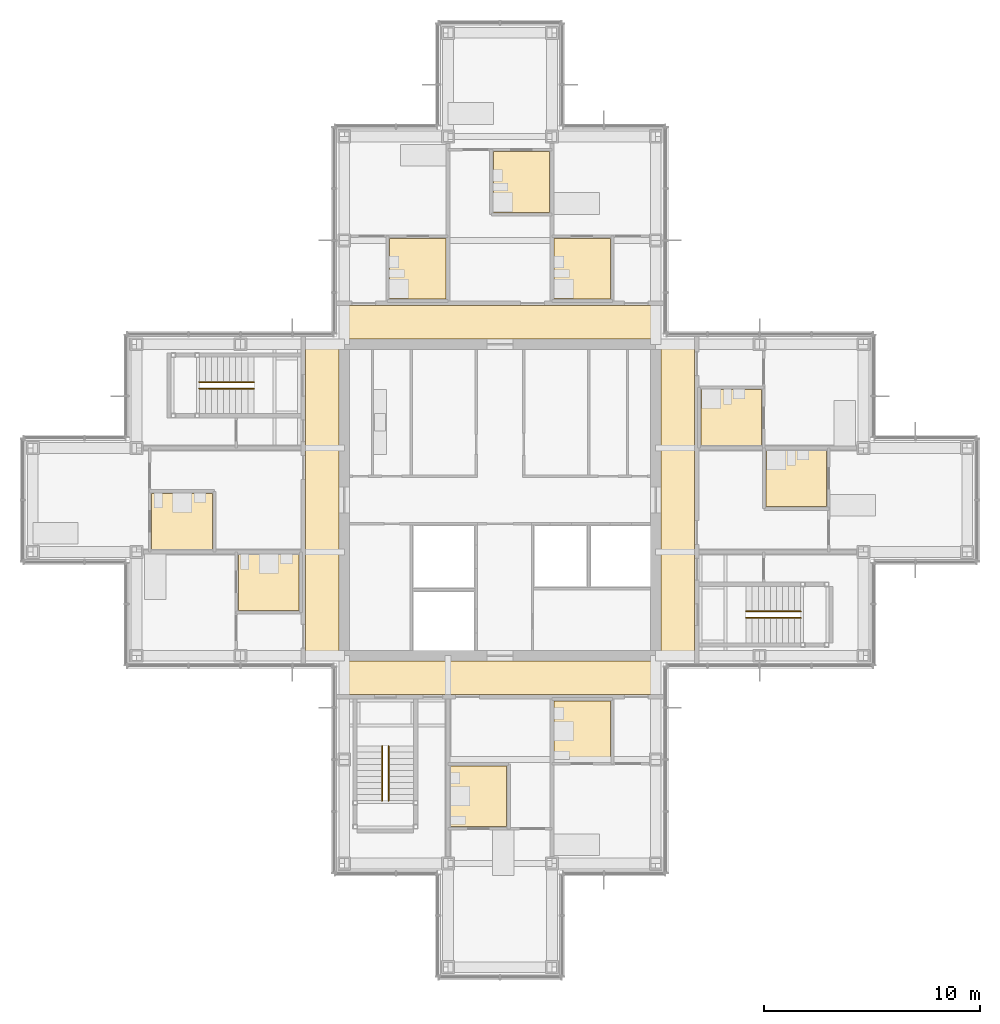
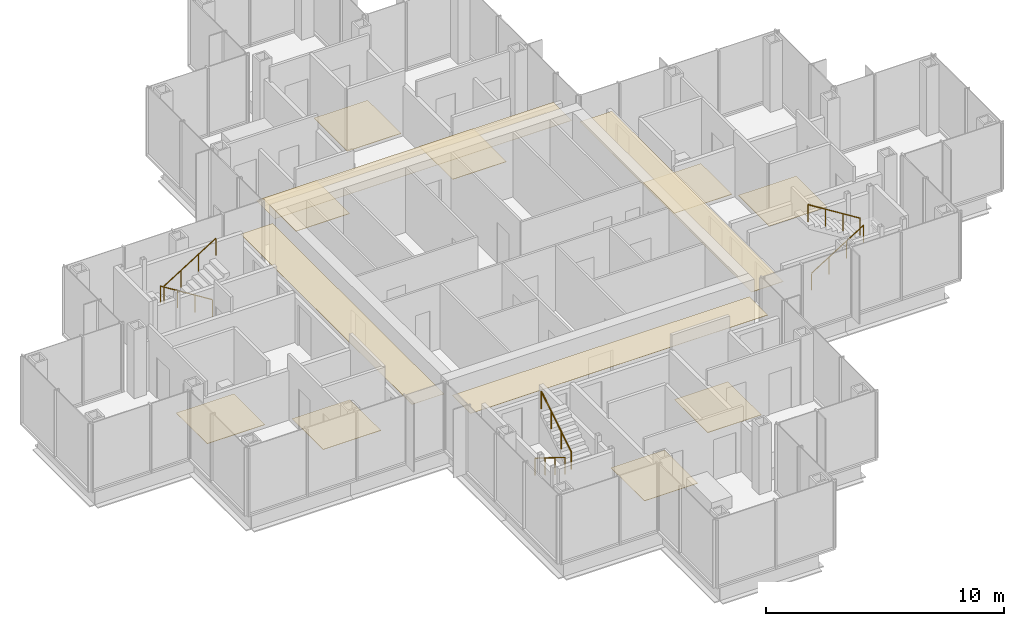
# One storey, part 15 of 17: 13 coverings, 6 railings.
"""IFC4 building model written with IfcOpenShell, lengths in metres."""

import ifcopenshell
import ifcopenshell.guid

model = None  # the IFC model being written
_history = None  # IfcOwnerHistory: only IFC2X3 demands one
_inside = {}  # id of a spatial element -> (the spatial element, [elements in it])
_under = {}  # id of a project, library or spatial element -> (it, [spatial elements below it])
_declared = {}  # id of a project -> (the project, [libraries it declares])
_typed = {}  # id of a type object -> (the type object, [elements of that type])
_made_of = {}  # id of a material, layer set ... -> (it, [elements and type objects made of it])


def new_model(schema):
    """Start an empty IFC model of exactly this schema.

    Asked for "IFC4X3", IfcOpenShell would pick the latest addendum, in which some entities
    have other attributes; the version numbers below select the first issue.
    IFC2X3 requires an IfcOwnerHistory on every rooted entity: one is made here for all.
    """
    global model, _history
    if schema == "IFC4X3":
        model = ifcopenshell.file(schema_version=(4, 3, 0, 0))
    else:
        model = ifcopenshell.file(schema=schema)
    _inside.clear()
    _under.clear()
    _declared.clear()
    _typed.clear()
    _made_of.clear()
    _history = None
    if model.schema == "IFC2X3":
        org = make("IfcOrganization", Name="unknown")
        user = make(
            "IfcPersonAndOrganization",
            ThePerson=make("IfcPerson", FamilyName="unknown"),
            TheOrganization=org,
        )
        app = make(
            "IfcApplication",
            ApplicationDeveloper=org,
            Version="unknown",
            ApplicationFullName="unknown",
            ApplicationIdentifier="unknown",
        )
        _history = make(
            "IfcOwnerHistory",
            OwningUser=user,
            OwningApplication=app,
            ChangeAction="ADDED",
            CreationDate=0,
        )
    return model


def make(cls, **values):
    """One entity of the class cls with the attributes given. An attribute that is None is left unset."""
    return model.create_entity(
        cls, **{name: value for name, value in values.items() if value is not None}
    )


def rooted(cls, **values):
    """An entity with a GlobalId (a new one), such as an element, a storey or a relation."""
    return make(cls, GlobalId=ifcopenshell.guid.new(), OwnerHistory=_history, **values)


def si_unit(unit_type, name, prefix=None):
    """IfcSIUnit, for example si_unit("LENGTHUNIT", "METRE", prefix="MILLI")."""
    return make("IfcSIUnit", UnitType=unit_type, Prefix=prefix, Name=name)


def assignment(units):
    """IfcUnitAssignment: the units of a project."""
    return None if units is None else make("IfcUnitAssignment", Units=units)


def point(xyz):
    """IfcCartesianPoint."""
    return None if xyz is None else make("IfcCartesianPoint", Coordinates=xyz)


def direction(xyz):
    """IfcDirection."""
    return None if xyz is None else make("IfcDirection", DirectionRatios=xyz)


def frame(location, z_axis=None, x_axis=None):
    """IfcAxis2Placement3D, a coordinate frame: its origin and axes. An axis left out is left unset."""
    return make(
        "IfcAxis2Placement3D",
        Location=point(location),
        Axis=direction(z_axis),
        RefDirection=direction(x_axis),
    )


def frame_2d(location, x_axis=None):
    """IfcAxis2Placement2D, a coordinate frame in the plane: its origin and x axis."""
    return make(
        "IfcAxis2Placement2D", Location=point(location), RefDirection=direction(x_axis)
    )


def origin():
    """The frame at (0, 0, 0) with its axes left unset."""
    return frame((0.0, 0.0, 0.0))


def origin_2d():
    """The frame at (0, 0) in the plane with its x axis left unset."""
    return frame_2d((0.0, 0.0))


def place(relative_to, where):
    """IfcLocalPlacement: puts the frame where relative to a parent placement (None: the world)."""
    return make(
        "IfcLocalPlacement", PlacementRelTo=relative_to, RelativePlacement=where
    )


def context(
    kind, dimensions, precision=None, world=None, true_north=None, identifier=None
):
    """IfcGeometricRepresentationContext, for example the 3D "Model" context."""
    return make(
        "IfcGeometricRepresentationContext",
        ContextIdentifier=identifier,
        ContextType=kind,
        CoordinateSpaceDimension=dimensions,
        Precision=precision,
        WorldCoordinateSystem=world,
        TrueNorth=true_north,
    )


def subcontext(parent, identifier, kind, view, scale=None):
    """IfcGeometricRepresentationSubContext, for example "Body" below "Model"."""
    return make(
        "IfcGeometricRepresentationSubContext",
        ContextIdentifier=identifier,
        ContextType=kind,
        ParentContext=parent,
        TargetScale=scale,
        TargetView=view,
    )


def project(units=None, contexts=None):
    """IfcProject with its units and contexts."""
    return rooted(
        "IfcProject",
        Name="project",
        RepresentationContexts=contexts,
        UnitsInContext=assignment(units),
    )


def spatial(cls, under=None, at=None, **own):
    """A site, building, storey or space (cls), placed at a placement, below another one or the project."""
    s = rooted(cls, ObjectPlacement=at, **own)
    if under is not None:
        _under.setdefault(under.id(), (under, []))[1].append(s)
    return s


def polyline(points):
    """IfcPolyline through the points."""
    return make("IfcPolyline", Points=[point(p) for p in points])


def profile(cls, at=None, kind="AREA", **sizes):
    """A parametric profile (cls). Its sizes go by their IFC names, for example OverallWidth=200.0."""
    return make(cls, ProfileType=kind, Position=at, **sizes)


def circle(**sizes):
    """IfcCircleProfileDef."""
    return profile("IfcCircleProfileDef", **sizes)


def outline(outer, holes=None, kind="AREA"):
    """IfcArbitraryClosedProfileDef: a profile drawn as a closed curve; with holes, ...WithVoids."""
    if holes is None:
        return make("IfcArbitraryClosedProfileDef", ProfileType=kind, OuterCurve=outer)
    return make(
        "IfcArbitraryProfileDefWithVoids",
        ProfileType=kind,
        OuterCurve=outer,
        InnerCurves=holes,
    )


def extrude(swept, where, along, depth):
    """IfcExtrudedAreaSolid: the profile swept, set in the frame where, extruded along a direction by depth."""
    return make(
        "IfcExtrudedAreaSolid",
        SweptArea=swept,
        Position=where,
        ExtrudedDirection=direction(along),
        Depth=depth,
    )


def shape(context_of_items, identifier, shape_type, items):
    """IfcShapeRepresentation: the items that make up one representation, for example the "Body"."""
    return make(
        "IfcShapeRepresentation",
        ContextOfItems=context_of_items,
        RepresentationIdentifier=identifier,
        RepresentationType=shape_type,
        Items=items,
    )


def material(Name=None, Category=None):
    """IfcMaterial."""
    return make("IfcMaterial", Name=Name, Category=Category)


def layer(
    of_material, thickness, ventilated=None, Name=None, Category=None, Priority=None
):
    """IfcMaterialLayer: one layer of a wall or slab, of a material (None: an air gap)."""
    return make(
        "IfcMaterialLayer",
        Material=of_material,
        LayerThickness=thickness,
        IsVentilated=ventilated,
        Name=Name,
        Category=Category,
        Priority=Priority,
    )


def layer_set(layers, Name=None):
    """IfcMaterialLayerSet."""
    return make("IfcMaterialLayerSet", MaterialLayers=layers, LayerSetName=Name)


def made_of(thing, what):
    """Note that an element or type object is made of a material, layer set ...; save() writes the relation."""
    if what is not None:
        _made_of.setdefault(what.id(), (what, []))[1].append(thing)
    return thing


def type_object(cls, material=None, **own):
    """A type object (cls), such as IfcWallType, which elements share."""
    return made_of(rooted(cls, **own), material)


def element(
    cls,
    number,
    at=None,
    inside=None,
    cuts=None,
    type_object=None,
    material=None,
    context=None,
    identifier="Body",
    shape_type=None,
    held_by="IfcProductDefinitionShape",
    body=None,
    shapes=None,
    **own,
):
    """One element of the class cls, such as IfcWall. Its Tag is "e" and its number.

    at: its placement. inside: the storey or other place that contains it. cuts: it is an
    opening in that element (IfcRelVoidsElement). A single representation is given by context,
    identifier, shape_type and body (its items); several are given by shapes. held_by: the class
    of the entity that holds the representations. save() writes the other relations.
    """
    e = rooted(cls, Tag="e%d" % number, ObjectPlacement=at, **own)
    if body is not None:
        shapes = [shape(context, identifier, shape_type, body)]
    if shapes is not None:
        e.Representation = make(held_by, Representations=shapes)
    if inside is not None:
        _inside.setdefault(inside.id(), (inside, []))[1].append(e)
    if cuts is not None:
        rooted(
            "IfcRelVoidsElement", RelatingBuildingElement=cuts, RelatedOpeningElement=e
        )
    if type_object is not None:
        _typed.setdefault(type_object.id(), (type_object, []))[1].append(e)
    return made_of(e, material)


def aggregate(whole, parts):
    """IfcRelAggregates: a whole, such as a stair, and the parts it consists of."""
    return rooted("IfcRelAggregates", RelatingObject=whole, RelatedObjects=parts)


def save(model, path):
    """Write the relations noted so far, then the file.

    IfcRelAggregates (storeys below a building ...), IfcRelContainedInSpatialStructure (elements
    in a storey), IfcRelDefinesByType, IfcRelAssociatesMaterial and IfcRelDeclares: one each for
    every whole, place, type object, material and project.
    """
    for whole, parts in _under.values():
        aggregate(whole, parts)
    for where, things in _inside.values():
        rooted(
            "IfcRelContainedInSpatialStructure",
            RelatedElements=things,
            RelatingStructure=where,
        )
    for kind, things in _typed.values():
        rooted("IfcRelDefinesByType", RelatedObjects=things, RelatingType=kind)
    for what, things in _made_of.values():
        rooted("IfcRelAssociatesMaterial", RelatedObjects=things, RelatingMaterial=what)
    for by, libraries in _declared.values():
        rooted("IfcRelDeclares", RelatingContext=by, RelatedDefinitions=libraries)
    model.write(path)


model = new_model("IFC4")

# Units and contexts
model_context = context("Model", 3, precision=1e-05, world=origin(), true_north=direction((0.0, 1.0)))
body_context = subcontext(model_context, "Body", "Model", "MODEL_VIEW")
ifc_project = project(units=[si_unit("LENGTHUNIT", "METRE"), si_unit("AREAUNIT", "SQUARE_METRE"), si_unit("VOLUMEUNIT", "CUBIC_METRE"), si_unit("PLANEANGLEUNIT", "RADIAN"), si_unit("MASSUNIT", "GRAM", prefix="KILO")], contexts=[model_context])

# Site, building, storey
site_placement = place(None, origin())
site = spatial("IfcSite", under=ifc_project, at=site_placement, CompositionType="ELEMENT")
building_placement = place(site_placement, origin())
building = spatial("IfcBuilding", under=site, at=building_placement, Name="Kvirike Care Tower", CompositionType="ELEMENT")
storey_placement = place(building_placement, frame((0.0, 0.0, 179.5)))
storey = spatial("IfcBuildingStorey", under=building, at=storey_placement, Name="L49", CompositionType="ELEMENT", Elevation=179.5)

# Coverings
ifc_material_1 = material(Name="Perforated metal ceiling tile", Category="aluminium")
ifc_layer_1 = layer(ifc_material_1, 0.014892578125)
ifc_layer_set_1 = layer_set([ifc_layer_1], Name="CORRIDOR CEILING 15")
covering_type_1 = type_object("IfcCoveringType", Name="CORRIDOR CEILING 15", PredefinedType="CEILING", material=ifc_layer_set_1)
covering_1_placement = place(storey_placement, frame((0.0, 0.0, 2.5)))
element("IfcCovering", 1, at=covering_1_placement, inside=storey, type_object=covering_type_1, Name="Corridor ceiling L49", PredefinedType="CEILING", context=body_context, shape_type="SweptSolid", body=[
    extrude(outline(polyline([(12.60009765625, 43.199951171875), (14.14990234375, 43.199951171875), (14.14990234375, 28.800048828125), (12.60009765625, 28.800048828125), (12.60009765625, 43.199951171875)])), origin(), (0.0, 0.0, 1.0), 0.014892578125),
])
covering_2_placement = place(storey_placement, frame((0.0, 0.0, 2.5)))
element("IfcCovering", 2, at=covering_2_placement, inside=storey, type_object=covering_type_1, Name="Corridor ceiling L49", PredefinedType="CEILING", context=body_context, shape_type="SweptSolid", body=[
    extrude(outline(polyline([(14.39990234375, 27.0), (14.39990234375, 28.550048828125), (28.800048828125, 28.550048828125), (28.800048828125, 27.0), (14.39990234375, 27.0)])), origin(), (0.0, 0.0, 1.0), 0.014892578125),
])
covering_3_placement = place(storey_placement, frame((0.0, 0.0, 2.5)))
element("IfcCovering", 3, at=covering_3_placement, inside=storey, type_object=covering_type_1, Name="Corridor ceiling L49", PredefinedType="CEILING", context=body_context, shape_type="SweptSolid", body=[
    extrude(outline(polyline([(28.800048828125, 45.0), (28.800048828125, 43.449951171875), (14.39990234375, 43.449951171875), (14.39990234375, 45.0), (28.800048828125, 45.0)])), origin(), (0.0, 0.0, 1.0), 0.014892578125),
])
covering_4_placement = place(storey_placement, frame((0.0, 0.0, 2.5)))
element("IfcCovering", 4, at=covering_4_placement, inside=storey, type_object=covering_type_1, Name="Corridor ceiling L49", PredefinedType="CEILING", context=body_context, shape_type="SweptSolid", body=[
    extrude(outline(polyline([(30.60009765625, 28.800048828125), (29.050048828125, 28.800048828125), (29.050048828125, 43.199951171875), (30.60009765625, 43.199951171875), (30.60009765625, 28.800048828125)])), origin(), (0.0, 0.0, 1.0), 0.014892578125),
])

# Railings
ifc_material_2 = material(Name="Stainless steel handrail", Category="steel")
railing_type = type_object("IfcRailingType", Name="STAIR HANDRAIL 900", PredefinedType="HANDRAIL", material=ifc_material_2)
railing_1_placement = place(storey_placement, frame((10.219970703125, 41.449951171875, 0.175048828125)))
element("IfcRailing", 5, at=railing_1_placement, inside=storey, type_object=railing_type, Name="Stair 1 handrail L49 flight 1", PredefinedType="HANDRAIL", context=body_context, shape_type="SweptSolid", body=[
    extrude(circle(Radius=0.02490234375, at=origin_2d()), frame((0.0, 0.0, 0.875), z_axis=(-0.848007534815, 0.0, 0.529984170421), x_axis=(0.0, -1.0, 0.0)), (0.0, 0.0, 1.0), 2.9716796875),
    extrude(circle(Radius=0.02001953125, at=origin_2d()), origin(), (0.0, 0.0, 1.0), 0.849853515625),
    extrude(circle(Radius=0.02001953125, at=origin_2d()), frame((-0.840087890625, 0.0, 0.52490234375)), (0.0, 0.0, 1.0), 0.849853515625),
    extrude(circle(Radius=0.02001953125, at=origin_2d()), frame((-1.679931640625, 0.0, 1.050048828125)), (0.0, 0.0, 1.0), 0.849853515625),
    extrude(circle(Radius=0.02001953125, at=origin_2d()), frame((-2.52001953125, 0.0, 1.574951171875)), (0.0, 0.0, 1.0), 0.849853515625),
])
for number, where, name in (
    (6, (7.699951171875, 41.14990234375, 1.925048828125), "Stair 1 handrail L49 flight 2"),
    (7, (32.97998046875, 30.550048828125, 0.175048828125), "Stair 2 handrail L49 flight 1"),
):
    element("IfcRailing", number, at=place(storey_placement, frame(where)), inside=storey, type_object=railing_type, Name=name, PredefinedType="HANDRAIL", context=body_context, shape_type="SweptSolid", body=[
        extrude(circle(Radius=0.02490234375, at=origin_2d()), frame((0.0, 0.0, 0.875), z_axis=(0.848007534815, 0.0, 0.529984170421), x_axis=(0.0, 1.0, 0.0)), (0.0, 0.0, 1.0), 2.9716796875),
        extrude(circle(Radius=0.02001953125, at=origin_2d()), origin(), (0.0, 0.0, 1.0), 0.849853515625),
        extrude(circle(Radius=0.02001953125, at=origin_2d()), frame((0.840087890625, 0.0, 0.52490234375)), (0.0, 0.0, 1.0), 0.849853515625),
        extrude(circle(Radius=0.02001953125, at=origin_2d()), frame((1.679931640625, 0.0, 1.050048828125)), (0.0, 0.0, 1.0), 0.849853515625),
        extrude(circle(Radius=0.02001953125, at=origin_2d()), frame((2.52001953125, 0.0, 1.574951171875)), (0.0, 0.0, 1.0), 0.849853515625),
    ])
railing_2_placement = place(storey_placement, frame((35.5, 30.85009765625, 1.925048828125)))
element("IfcRailing", 8, at=railing_2_placement, inside=storey, type_object=railing_type, Name="Stair 2 handrail L49 flight 2", PredefinedType="HANDRAIL", context=body_context, shape_type="SweptSolid", body=[
    extrude(circle(Radius=0.02490234375, at=origin_2d()), frame((0.0, 0.0, 0.875), z_axis=(-0.848007534815, 0.0, 0.529984170421), x_axis=(0.0, -1.0, 0.0)), (0.0, 0.0, 1.0), 2.9716796875),
    extrude(circle(Radius=0.02001953125, at=origin_2d()), origin(), (0.0, 0.0, 1.0), 0.849853515625),
    extrude(circle(Radius=0.02001953125, at=origin_2d()), frame((-0.840087890625, 0.0, 0.52490234375)), (0.0, 0.0, 1.0), 0.849853515625),
    extrude(circle(Radius=0.02001953125, at=origin_2d()), frame((-1.679931640625, 0.0, 1.050048828125)), (0.0, 0.0, 1.0), 0.849853515625),
    extrude(circle(Radius=0.02001953125, at=origin_2d()), frame((-2.52001953125, 0.0, 1.574951171875)), (0.0, 0.0, 1.0), 0.849853515625),
])
railing_3_placement = place(storey_placement, frame((16.14990234375, 24.6201171875, 0.175048828125)))
element("IfcRailing", 9, at=railing_3_placement, inside=storey, type_object=railing_type, Name="Stair 5 handrail L49 flight 1", PredefinedType="HANDRAIL", context=body_context, shape_type="SweptSolid", body=[
    extrude(circle(Radius=0.02490234375, at=origin_2d()), frame((0.0, 0.0, 0.875), z_axis=(0.0, -0.848007534815, 0.529984170421), x_axis=(1.0, 0.0, 0.0)), (0.0, 0.0, 1.0), 2.9716796875),
    extrude(circle(Radius=0.02001953125, at=origin_2d()), origin(), (0.0, 0.0, 1.0), 0.849853515625),
    extrude(circle(Radius=0.02001953125, at=origin_2d()), frame((0.0, -0.840087890625, 0.52490234375)), (0.0, 0.0, 1.0), 0.849853515625),
    extrude(circle(Radius=0.02001953125, at=origin_2d()), frame((0.0, -1.679931640625, 1.050048828125)), (0.0, 0.0, 1.0), 0.849853515625),
    extrude(circle(Radius=0.02001953125, at=origin_2d()), frame((0.0, -2.52001953125, 1.574951171875)), (0.0, 0.0, 1.0), 0.849853515625),
])
railing_4_placement = place(storey_placement, frame((16.449951171875, 22.10009765625, 1.925048828125)))
element("IfcRailing", 10, at=railing_4_placement, inside=storey, type_object=railing_type, Name="Stair 5 handrail L49 flight 2", PredefinedType="HANDRAIL", context=body_context, shape_type="SweptSolid", body=[
    extrude(circle(Radius=0.02490234375, at=origin_2d()), frame((0.0, 0.0, 0.875), z_axis=(0.0, 0.848007534815, 0.529984170421), x_axis=(-1.0, 0.0, 0.0)), (0.0, 0.0, 1.0), 2.9716796875),
    extrude(circle(Radius=0.02001953125, at=origin_2d()), origin(), (0.0, 0.0, 1.0), 0.849853515625),
    extrude(circle(Radius=0.02001953125, at=origin_2d()), frame((0.0, 0.840087890625, 0.52490234375)), (0.0, 0.0, 1.0), 0.849853515625),
    extrude(circle(Radius=0.02001953125, at=origin_2d()), frame((0.0, 1.679931640625, 1.050048828125)), (0.0, 0.0, 1.0), 0.849853515625),
    extrude(circle(Radius=0.02001953125, at=origin_2d()), frame((0.0, 2.52001953125, 1.574951171875)), (0.0, 0.0, 1.0), 0.849853515625),
])

# Coverings
ifc_material_3 = material(Name="Slip-resistant vinyl safety flooring on screed")
ifc_layer_2 = layer(ifc_material_3, 0.02001953125)
ifc_layer_set_2 = layer_set([ifc_layer_2], Name="WET ROOM FLOOR 20")
covering_type_2 = type_object("IfcCoveringType", Name="WET ROOM FLOOR 20", PredefinedType="FLOORING", material=ifc_layer_set_2)
covering_5_placement = place(storey_placement, origin())
element("IfcCovering", 11, at=covering_5_placement, inside=storey, type_object=covering_type_2, Name="En-suite floor L49-006", PredefinedType="FLOORING", context=body_context, shape_type="SweptSolid", body=[
    extrude(outline(polyline([(5.5, 36.300048828125), (8.300048828125, 36.300048828125), (8.300048828125, 33.699951171875), (5.5, 33.699951171875), (5.5, 36.300048828125)])), origin(), (0.0, 0.0, 1.0), 0.02001953125),
])
covering_6_placement = place(storey_placement, origin())
element("IfcCovering", 12, at=covering_6_placement, inside=storey, type_object=covering_type_2, Name="En-suite floor L49-009", PredefinedType="FLOORING", context=body_context, shape_type="SweptSolid", body=[
    extrude(outline(polyline([(9.5, 33.5), (12.300048828125, 33.5), (12.300048828125, 30.89990234375), (9.5, 30.89990234375), (9.5, 33.5)])), origin(), (0.0, 0.0, 1.0), 0.02001953125),
])
covering_7_placement = place(storey_placement, origin())
element("IfcCovering", 13, at=covering_7_placement, inside=storey, type_object=covering_type_2, Name="En-suite floor L49-015", PredefinedType="FLOORING", context=body_context, shape_type="SweptSolid", body=[
    extrude(outline(polyline([(19.300048828125, 20.89990234375), (19.300048828125, 23.699951171875), (21.89990234375, 23.699951171875), (21.89990234375, 20.89990234375), (19.300048828125, 20.89990234375)])), origin(), (0.0, 0.0, 1.0), 0.02001953125),
])
covering_8_placement = place(storey_placement, origin())
element("IfcCovering", 14, at=covering_8_placement, inside=storey, type_object=covering_type_2, Name="En-suite floor L49-018", PredefinedType="FLOORING", context=body_context, shape_type="SweptSolid", body=[
    extrude(outline(polyline([(24.10009765625, 23.89990234375), (24.10009765625, 26.699951171875), (26.699951171875, 26.699951171875), (26.699951171875, 23.89990234375), (24.10009765625, 23.89990234375)])), origin(), (0.0, 0.0, 1.0), 0.02001953125),
])
covering_9_placement = place(storey_placement, origin())
element("IfcCovering", 15, at=covering_9_placement, inside=storey, type_object=covering_type_2, Name="En-suite floor L49-022", PredefinedType="FLOORING", context=body_context, shape_type="SweptSolid", body=[
    extrude(outline(polyline([(26.699951171875, 48.10009765625), (26.699951171875, 45.300048828125), (24.10009765625, 45.300048828125), (24.10009765625, 48.10009765625), (26.699951171875, 48.10009765625)])), origin(), (0.0, 0.0, 1.0), 0.02001953125),
])
covering_10_placement = place(storey_placement, origin())
element("IfcCovering", 16, at=covering_10_placement, inside=storey, type_object=covering_type_2, Name="En-suite floor L49-025", PredefinedType="FLOORING", context=body_context, shape_type="SweptSolid", body=[
    extrude(outline(polyline([(23.89990234375, 52.10009765625), (23.89990234375, 49.300048828125), (21.300048828125, 49.300048828125), (21.300048828125, 52.10009765625), (23.89990234375, 52.10009765625)])), origin(), (0.0, 0.0, 1.0), 0.02001953125),
])
covering_11_placement = place(storey_placement, origin())
element("IfcCovering", 17, at=covering_11_placement, inside=storey, type_object=covering_type_2, Name="En-suite floor L49-028", PredefinedType="FLOORING", context=body_context, shape_type="SweptSolid", body=[
    extrude(outline(polyline([(19.10009765625, 48.10009765625), (19.10009765625, 45.300048828125), (16.5, 45.300048828125), (16.5, 48.10009765625), (19.10009765625, 48.10009765625)])), origin(), (0.0, 0.0, 1.0), 0.02001953125),
])
covering_12_placement = place(storey_placement, origin())
element("IfcCovering", 18, at=covering_12_placement, inside=storey, type_object=covering_type_2, Name="En-suite floor L49-035", PredefinedType="FLOORING", context=body_context, shape_type="SweptSolid", body=[
    extrude(outline(polyline([(36.699951171875, 35.699951171875), (33.89990234375, 35.699951171875), (33.89990234375, 38.300048828125), (36.699951171875, 38.300048828125), (36.699951171875, 35.699951171875)])), origin(), (0.0, 0.0, 1.0), 0.02001953125),
])
covering_13_placement = place(storey_placement, origin())
element("IfcCovering", 19, at=covering_13_placement, inside=storey, type_object=covering_type_2, Name="En-suite floor L49-038", PredefinedType="FLOORING", context=body_context, shape_type="SweptSolid", body=[
    extrude(outline(polyline([(33.699951171875, 38.5), (30.89990234375, 38.5), (30.89990234375, 41.10009765625), (33.699951171875, 41.10009765625), (33.699951171875, 38.5)])), origin(), (0.0, 0.0, 1.0), 0.02001953125),
])

save(model, "model.ifc")
